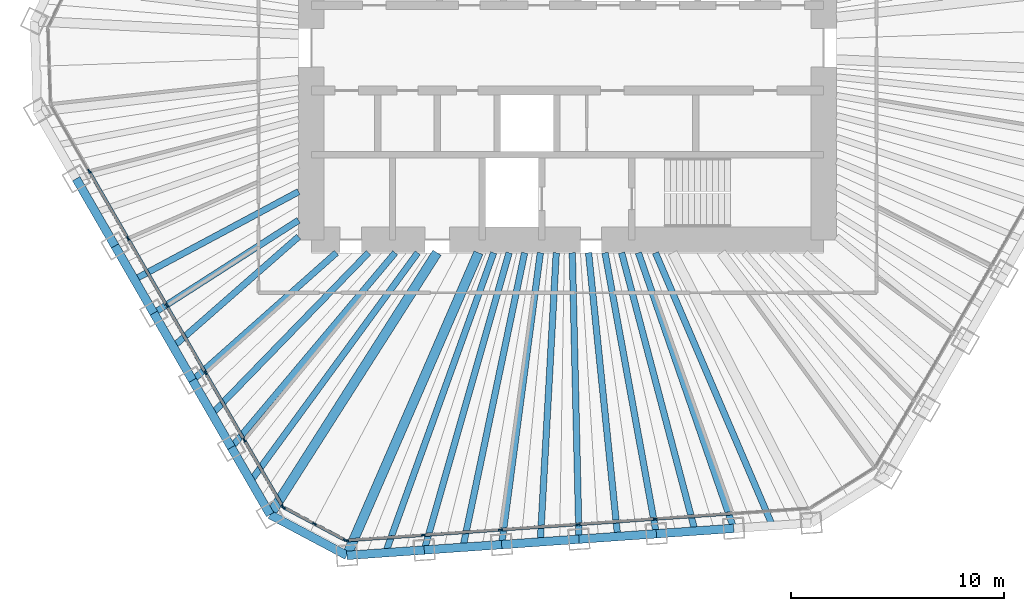
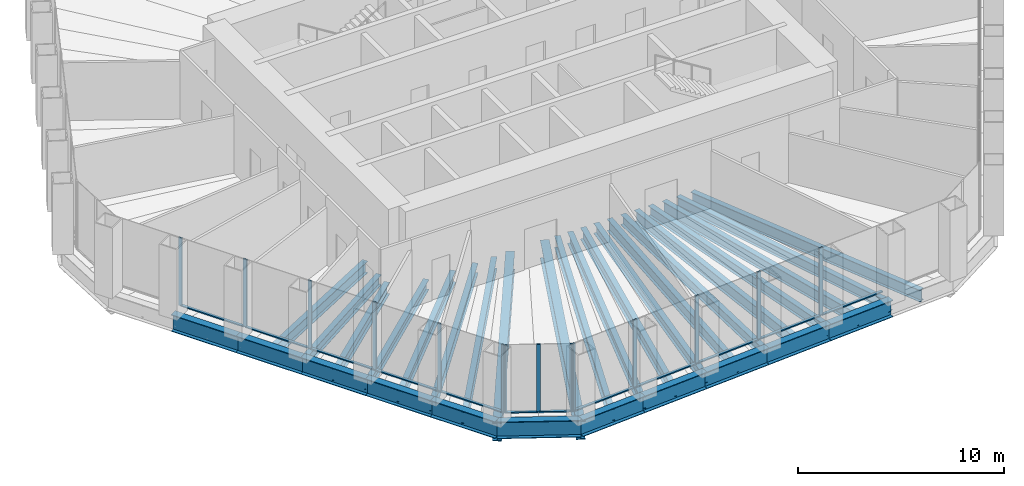
# One storey, part 2 of 14: 31 beams, 26 members, 3 elements without a shape of their own.
"""IFC4 building model written with IfcOpenShell, lengths in metres."""

from ifc_helpers import new_model, si_unit, direction, frame, origin, origin_2d, place, context, subcontext, project, spatial, rectangle, i_section, extrude, material, material_profile, profile_set, type_object, element, aggregate, save


model = new_model("IFC4")

# Units and contexts
model_context = context("Model", 3, precision=1e-05, world=origin(), true_north=direction((0.0, 1.0)))
body_context = subcontext(model_context, "Body", "Model", "MODEL_VIEW")
ifc_project = project(units=[si_unit("LENGTHUNIT", "METRE"), si_unit("AREAUNIT", "SQUARE_METRE"), si_unit("VOLUMEUNIT", "CUBIC_METRE"), si_unit("PLANEANGLEUNIT", "RADIAN"), si_unit("MASSUNIT", "GRAM", prefix="KILO")], contexts=[model_context])

# Site, building, storey
site_placement = place(None, origin())
site = spatial("IfcSite", under=ifc_project, at=site_placement, CompositionType="ELEMENT")
building_placement = place(site_placement, origin())
building = spatial("IfcBuilding", under=site, at=building_placement, Name="Qingtian Harvest Tower", CompositionType="ELEMENT")
storey_placement = place(building_placement, frame((0.0, 0.0, 243.39990234375)))
storey = spatial("IfcBuildingStorey", under=building, at=storey_placement, Name="L53", CompositionType="ELEMENT", Elevation=243.39990234375)

# Beams
ifc_material_1 = material(Name="Steel SM570MC", Category="steel")
ifc_material_profile_1 = material_profile(ifc_material_1, i_section(OverallWidth=0.449951171875, OverallDepth=1.10009765625, WebThickness=0.02197265625, FlangeThickness=0.044921875, at=origin_2d()), Name="H1100x450x22x45")
ifc_profile_set_1 = profile_set([ifc_material_profile_1], Name="Steel SM570MC")
beam_type_1 = type_object("IfcBeamType", Name="Corner floor beam FB8 H1100x450x22x45", PredefinedType="BEAM", material=ifc_profile_set_1)
beam_1_placement = place(storey_placement, frame((-10.33837890625, -23.779052734375, -0.719970703125), z_axis=(0.398714563353, 0.917075077063, 0.0), x_axis=(-0.917075077063, 0.398714563353, 0.0)))
element("IfcBeam", 1, at=beam_1_placement, inside=storey, type_object=beam_type_1, Name="Floor beam FB8 S6", PredefinedType="BEAM", context=body_context, shape_type="SweptSolid", body=[
    extrude(i_section(OverallWidth=0.449951171875, OverallDepth=1.10009765625, WebThickness=0.02197265625, FlangeThickness=0.044921875, at=origin_2d()), origin(), (0.0, 0.0, 1.0), 15.461181640625),
])
beam_2_placement = place(storey_placement, frame((-13.9326171875, -21.8681640625, -0.719970703125), z_axis=(0.537326103898, 0.8433745657, 0.0), x_axis=(-0.8433745657, 0.537326103898, 0.0)))
element("IfcBeam", 2, at=beam_2_placement, inside=storey, type_object=beam_type_1, Name="Floor beam FB8 SW0", PredefinedType="BEAM", context=body_context, shape_type="SweptSolid", body=[
    extrude(i_section(OverallWidth=0.449951171875, OverallDepth=1.10009765625, WebThickness=0.02197265625, FlangeThickness=0.044921875, at=origin_2d()), origin(), (0.0, 0.0, 1.0), 14.54638671875),
])
ifc_material_2 = material(Name="Steel SN490B", Category="steel")
ifc_material_profile_2 = material_profile(ifc_material_2, i_section(OverallWidth=0.300048828125, OverallDepth=0.699951171875, WebThickness=0.012939453125, FlangeThickness=0.02392578125, at=origin_2d()), Name="H700x300x13x24")
ifc_profile_set_2 = profile_set([ifc_material_profile_2], Name="Steel SN490B")
beam_type_2 = type_object("IfcBeamType", Name="Floor beam FB2 H700x300x13x24", PredefinedType="BEAM", material=ifc_profile_set_2)
beam_3_placement = place(storey_placement, frame((-6.713623046875, -23.525634765625, -0.52001953125), z_axis=(0.274411610503, 0.961612327303, 0.0), x_axis=(-0.961612327303, 0.274411610503, 0.0)))
element("IfcBeam", 3, at=beam_3_placement, inside=storey, type_object=beam_type_2, Name="Floor beam FB2 S5", PredefinedType="BEAM", context=body_context, shape_type="SweptSolid", body=[
    extrude(i_section(OverallWidth=0.300048828125, OverallDepth=0.699951171875, WebThickness=0.012939453125, FlangeThickness=0.02392578125, at=origin_2d()), origin(), (0.0, 0.0, 1.0), 14.4814453125),
])
ifc_material_3 = material(Name="Steel SN490B", Category="steel")
ifc_material_profile_3 = material_profile(ifc_material_3, i_section(OverallWidth=0.300048828125, OverallDepth=0.60009765625, WebThickness=0.011962890625, FlangeThickness=0.02001953125, at=origin_2d()), Name="H600x300x12x20")
ifc_profile_set_3 = profile_set([ifc_material_profile_3], Name="Steel SN490B")
beam_type_3 = type_object("IfcBeamType", Name="Floor beam FB3 H600x300x12x20", PredefinedType="BEAM", material=ifc_profile_set_3)
beam_4_placement = place(storey_placement, frame((7.78515625, -22.51171875, -0.469970703125), z_axis=(-0.326844175409, 0.945078242793, 0.0), x_axis=(-0.945078242793, -0.326844175409, 0.0)))
element("IfcBeam", 4, at=beam_4_placement, inside=storey, type_object=beam_type_3, Name="Floor beam FB3 S1", PredefinedType="BEAM", context=body_context, shape_type="SweptSolid", body=[
    extrude(i_section(OverallWidth=0.300048828125, OverallDepth=0.60009765625, WebThickness=0.011962890625, FlangeThickness=0.02001953125, at=origin_2d()), origin(), (0.0, 0.0, 1.0), 13.661865234375),
])
beam_5_placement = place(storey_placement, frame((4.160400390625, -22.76513671875, -0.469970703125), z_axis=(-0.179779537209, 0.983706926885, 0.0), x_axis=(-0.983706926885, -0.179779537209, 0.0)))
element("IfcBeam", 5, at=beam_5_placement, inside=storey, type_object=beam_type_3, Name="Floor beam FB3 S2", PredefinedType="BEAM", context=body_context, shape_type="SweptSolid", body=[
    extrude(i_section(OverallWidth=0.300048828125, OverallDepth=0.60009765625, WebThickness=0.011962890625, FlangeThickness=0.02001953125, at=origin_2d()), origin(), (0.0, 0.0, 1.0), 13.383056640625),
])
beam_6_placement = place(storey_placement, frame((0.53564453125, -23.018798828125, -0.469970703125), z_axis=(-0.023263902078, 0.999729358807, 0.0), x_axis=(-0.999729358807, -0.023263902078, 0.0)))
element("IfcBeam", 6, at=beam_6_placement, inside=storey, type_object=beam_type_3, Name="Floor beam FB3 S3", PredefinedType="BEAM", context=body_context, shape_type="SweptSolid", body=[
    extrude(i_section(OverallWidth=0.300048828125, OverallDepth=0.60009765625, WebThickness=0.011962890625, FlangeThickness=0.02001953125, at=origin_2d()), origin(), (0.0, 0.0, 1.0), 13.42236328125),
])
beam_7_placement = place(storey_placement, frame((-3.089111328125, -23.272216796875, -0.469970703125), z_axis=(0.131593229442, 0.991303799027, 0.0), x_axis=(-0.991303799027, 0.131593229442, 0.0)))
element("IfcBeam", 7, at=beam_7_placement, inside=storey, type_object=beam_type_3, Name="Floor beam FB3 S4", PredefinedType="BEAM", context=body_context, shape_type="SweptSolid", body=[
    extrude(i_section(OverallWidth=0.300048828125, OverallDepth=0.60009765625, WebThickness=0.011962890625, FlangeThickness=0.02001953125, at=origin_2d()), origin(), (0.0, 0.0, 1.0), 13.7919921875),
])
beam_8_placement = place(storey_placement, frame((-15.749267578125, -18.72119140625, -0.469970703125), z_axis=(0.643763532906, 0.765224485821, 0.0), x_axis=(-0.765224485821, 0.643763532906, 0.0)))
element("IfcBeam", 8, at=beam_8_placement, inside=storey, type_object=beam_type_3, Name="Floor beam FB3 SW1", PredefinedType="BEAM", context=body_context, shape_type="SweptSolid", body=[
    extrude(i_section(OverallWidth=0.300048828125, OverallDepth=0.60009765625, WebThickness=0.011962890625, FlangeThickness=0.02001953125, at=origin_2d()), origin(), (0.0, 0.0, 1.0), 11.91943359375),
])
beam_9_placement = place(storey_placement, frame((-17.566162109375, -15.574462890625, -0.469970703125), z_axis=(0.748259768664, 0.663405847577, 0.0), x_axis=(-0.663405847577, 0.748259768664, 0.0)))
element("IfcBeam", 9, at=beam_9_placement, inside=storey, type_object=beam_type_3, Name="Floor beam FB3 SW2", PredefinedType="BEAM", context=body_context, shape_type="SweptSolid", body=[
    extrude(i_section(OverallWidth=0.300048828125, OverallDepth=0.60009765625, WebThickness=0.011962890625, FlangeThickness=0.02001953125, at=origin_2d()), origin(), (0.0, 0.0, 1.0), 9.005615234375),
])
beam_10_placement = place(storey_placement, frame((-19.3828125, -12.427734375, -0.469970703125), z_axis=(0.841823714388, 0.539752567288, 0.0), x_axis=(-0.539752567288, 0.841823714388, 0.0)))
element("IfcBeam", 10, at=beam_10_placement, inside=storey, type_object=beam_type_3, Name="Floor beam FB3 SW3", PredefinedType="BEAM", context=body_context, shape_type="SweptSolid", body=[
    extrude(i_section(OverallWidth=0.300048828125, OverallDepth=0.60009765625, WebThickness=0.011962890625, FlangeThickness=0.02001953125, at=origin_2d()), origin(), (0.0, 0.0, 1.0), 8.05712890625),
])
ifc_material_4 = material(Name="Steel SN490B", Category="steel")
ifc_material_profile_4 = material_profile(ifc_material_4, i_section(OverallWidth=0.300048828125, OverallDepth=0.699951171875, WebThickness=0.012939453125, FlangeThickness=0.02392578125, at=origin_2d()), Name="H700x300x13x24")
ifc_profile_set_4 = profile_set([ifc_material_profile_4], Name="Steel SN490B")
beam_type_4 = type_object("IfcBeamType", Name="Floor joist J2 H700x300x13x24", PredefinedType="JOIST", material=ifc_profile_set_4)
beam_11_placement = place(storey_placement, frame((9.597412109375, -22.385009765625, -0.52001953125), z_axis=(-0.394052741766, 0.919087828614, 0.0), x_axis=(-0.919087828614, -0.394052741766, 0.0)))
element("IfcBeam", 11, at=beam_11_placement, inside=storey, type_object=beam_type_4, Name="Floor joist J2 S0", PredefinedType="JOIST", context=body_context, shape_type="SweptSolid", body=[
    extrude(i_section(OverallWidth=0.300048828125, OverallDepth=0.699951171875, WebThickness=0.012939453125, FlangeThickness=0.02392578125, at=origin_2d()), origin(), (0.0, 0.0, 1.0), 13.910400390625),
])
beam_12_placement = place(storey_placement, frame((5.97265625, -22.638427734375, -0.52001953125), z_axis=(-0.255103716232, 0.9669136952, 0.0), x_axis=(-0.9669136952, -0.255103716232, 0.0)))
element("IfcBeam", 12, at=beam_12_placement, inside=storey, type_object=beam_type_4, Name="Floor joist J2 S1", PredefinedType="JOIST", context=body_context, shape_type="SweptSolid", body=[
    extrude(i_section(OverallWidth=0.300048828125, OverallDepth=0.699951171875, WebThickness=0.012939453125, FlangeThickness=0.02392578125, at=origin_2d()), origin(), (0.0, 0.0, 1.0), 13.484375),
])
beam_13_placement = place(storey_placement, frame((2.347900390625, -22.89208984375, -0.52001953125), z_axis=(-0.102028865499, 0.994781438611, 0.0), x_axis=(-0.994781438611, -0.102028865499, 0.0)))
element("IfcBeam", 13, at=beam_13_placement, inside=storey, type_object=beam_type_4, Name="Floor joist J2 S2", PredefinedType="JOIST", context=body_context, shape_type="SweptSolid", body=[
    extrude(i_section(OverallWidth=0.300048828125, OverallDepth=0.699951171875, WebThickness=0.012939453125, FlangeThickness=0.02392578125, at=origin_2d()), origin(), (0.0, 0.0, 1.0), 13.36181640625),
])
beam_14_placement = place(storey_placement, frame((-1.276611328125, -23.1455078125, -0.52001953125), z_axis=(0.055069329716, 0.998482533109, 0.0), x_axis=(-0.998482533109, 0.055069329716, 0.0)))
element("IfcBeam", 14, at=beam_14_placement, inside=storey, type_object=beam_type_4, Name="Floor joist J2 S3", PredefinedType="JOIST", context=body_context, shape_type="SweptSolid", body=[
    extrude(i_section(OverallWidth=0.300048828125, OverallDepth=0.699951171875, WebThickness=0.012939453125, FlangeThickness=0.02392578125, at=origin_2d()), origin(), (0.0, 0.0, 1.0), 13.56591796875),
])
beam_15_placement = place(storey_placement, frame((-4.9013671875, -23.39892578125, -0.52001953125), z_axis=(0.205016322093, 0.978758554331, 0.0), x_axis=(-0.978758554331, 0.205016322093, 0.0)))
element("IfcBeam", 15, at=beam_15_placement, inside=storey, type_object=beam_type_4, Name="Floor joist J2 S4", PredefinedType="JOIST", context=body_context, shape_type="SweptSolid", body=[
    extrude(i_section(OverallWidth=0.300048828125, OverallDepth=0.699951171875, WebThickness=0.012939453125, FlangeThickness=0.02392578125, at=origin_2d()), origin(), (0.0, 0.0, 1.0), 14.098388671875),
])
beam_16_placement = place(storey_placement, frame((-8.526123046875, -23.65234375, -0.52001953125), z_axis=(0.339126305921, 0.940740850943, 0.0), x_axis=(-0.940740850943, 0.339126305921, 0.0)))
element("IfcBeam", 16, at=beam_16_placement, inside=storey, type_object=beam_type_4, Name="Floor joist J2 S5", PredefinedType="JOIST", context=body_context, shape_type="SweptSolid", body=[
    extrude(i_section(OverallWidth=0.300048828125, OverallDepth=0.699951171875, WebThickness=0.012939453125, FlangeThickness=0.02392578125, at=origin_2d()), origin(), (0.0, 0.0, 1.0), 14.9375),
])
beam_17_placement = place(storey_placement, frame((-14.841064453125, -20.294677734375, -0.52001953125), z_axis=(0.590288677526, 0.807192218238, 0.0), x_axis=(-0.807192218238, 0.590288677526, 0.0)))
element("IfcBeam", 17, at=beam_17_placement, inside=storey, type_object=beam_type_4, Name="Floor joist J2 SW0", PredefinedType="JOIST", context=body_context, shape_type="SweptSolid", body=[
    extrude(i_section(OverallWidth=0.300048828125, OverallDepth=0.699951171875, WebThickness=0.012939453125, FlangeThickness=0.02392578125, at=origin_2d()), origin(), (0.0, 0.0, 1.0), 13.2490234375),
])
beam_18_placement = place(storey_placement, frame((-16.65771484375, -17.14794921875, -0.52001953125), z_axis=(0.696777499009, 0.717287332158, 0.0), x_axis=(-0.717287332158, 0.696777499009, 0.0)))
element("IfcBeam", 18, at=beam_18_placement, inside=storey, type_object=beam_type_4, Name="Floor joist J2 SW1", PredefinedType="JOIST", context=body_context, shape_type="SweptSolid", body=[
    extrude(i_section(OverallWidth=0.300048828125, OverallDepth=0.699951171875, WebThickness=0.012939453125, FlangeThickness=0.02392578125, at=origin_2d()), origin(), (0.0, 0.0, 1.0), 10.522705078125),
])
beam_19_placement = place(storey_placement, frame((-18.474609375, -14.001220703125, -0.52001953125), z_axis=(0.751883296969, 0.659296221542, 0.0), x_axis=(-0.659296221542, 0.751883296969, 0.0)))
element("IfcBeam", 19, at=beam_19_placement, inside=storey, type_object=beam_type_4, Name="Floor joist J2 SW2", PredefinedType="JOIST", context=body_context, shape_type="SweptSolid", body=[
    extrude(i_section(OverallWidth=0.300048828125, OverallDepth=0.699951171875, WebThickness=0.012939453125, FlangeThickness=0.02392578125, at=origin_2d()), origin(), (0.0, 0.0, 1.0), 7.81298828125),
])
beam_20_placement = place(storey_placement, frame((-20.291259765625, -10.8544921875, -0.52001953125), z_axis=(0.881766503154, 0.471686160402, 0.0), x_axis=(-0.471686160402, 0.881766503154, 0.0)))
element("IfcBeam", 20, at=beam_20_placement, inside=storey, type_object=beam_type_4, Name="Floor joist J2 SW3", PredefinedType="JOIST", context=body_context, shape_type="SweptSolid", body=[
    extrude(i_section(OverallWidth=0.300048828125, OverallDepth=0.699951171875, WebThickness=0.012939453125, FlangeThickness=0.02392578125, at=origin_2d()), origin(), (0.0, 0.0, 1.0), 8.722412109375),
])

# Curtain wall, members
ifc_material_5 = material(Name="Bronze-anodised aluminium curtain wall", Category="aluminium")
curtain_wall_type = type_object("IfcCurtainWallType", Name="Curtain wall CW4 office", PredefinedType="USERDEFINED", material=ifc_material_5)
curtain_wall_1_placement = place(storey_placement, origin())
curtain_wall_1 = element("IfcCurtainWall", 21, at=curtain_wall_1_placement, inside=storey, type_object=curtain_wall_type, Name="Curtain wall CW4 L53 S0-5", ObjectType="RECESSED CURTAIN WALL", PredefinedType="USERDEFINED")
ifc_material_6 = material(Name="Bronze-anodised aluminium mullion", Category="aluminium")
ifc_material_profile_5 = material_profile(ifc_material_6, rectangle(XDim=0.06494140625, YDim=0.199951171875, at=origin_2d()), Name="AL 65x200")
ifc_profile_set_5 = profile_set([ifc_material_profile_5], Name="Bronze-anodised aluminium mullion")
member_type_1 = type_object("IfcMemberType", Name="Mullion CWM 65x200", PredefinedType="MULLION", material=ifc_profile_set_5)
member_1_placement = place(storey_placement, frame((4.111572265625, -22.06689453125, 0.0), z_axis=(0.0, 0.0, 1.0), x_axis=(0.069756473744, -0.99756405026, 0.0)))
member_1 = element("IfcMember", 22, at=member_1_placement, type_object=member_type_1, Name="CW4 mullion 3", PredefinedType="MULLION", context=body_context, shape_type="SweptSolid", body=[
    extrude(rectangle(XDim=0.06494140625, YDim=0.199951171875, at=origin_2d()), origin(), (0.0, 0.0, 1.0), 4.030029296875),
])
member_2_placement = place(storey_placement, frame((0.48681640625, -22.3203125, 0.0), z_axis=(0.0, 0.0, 1.0), x_axis=(0.069756473744, -0.99756405026, 0.0)))
member_2 = element("IfcMember", 23, at=member_2_placement, type_object=member_type_1, Name="CW4 mullion 4", PredefinedType="MULLION", context=body_context, shape_type="SweptSolid", body=[
    extrude(rectangle(XDim=0.06494140625, YDim=0.199951171875, at=origin_2d()), origin(), (0.0, 0.0, 1.0), 4.030029296875),
])
member_3_placement = place(storey_placement, frame((-3.137939453125, -22.573974609375, 0.0), z_axis=(0.0, 0.0, 1.0), x_axis=(0.069756473744, -0.99756405026, 0.0)))
member_3 = element("IfcMember", 24, at=member_3_placement, type_object=member_type_1, Name="CW4 mullion 5", PredefinedType="MULLION", context=body_context, shape_type="SweptSolid", body=[
    extrude(rectangle(XDim=0.06494140625, YDim=0.199951171875, at=origin_2d()), origin(), (0.0, 0.0, 1.0), 4.030029296875),
])
member_4_placement = place(storey_placement, frame((-6.762451171875, -22.827392578125, 0.0), z_axis=(0.0, 0.0, 1.0), x_axis=(0.069756473744, -0.99756405026, 0.0)))
member_4 = element("IfcMember", 25, at=member_4_placement, type_object=member_type_1, Name="CW4 mullion 6", PredefinedType="MULLION", context=body_context, shape_type="SweptSolid", body=[
    extrude(rectangle(XDim=0.06494140625, YDim=0.199951171875, at=origin_2d()), origin(), (0.0, 0.0, 1.0), 4.030029296875),
])
member_5_placement = place(storey_placement, frame((-10.354736328125, -23.07861328125, 0.0), z_axis=(0.0, 0.0, 1.0), x_axis=(0.069756473744, -0.99756405026, 0.0)))
member_5 = element("IfcMember", 26, at=member_5_placement, type_object=member_type_1, Name="CW4 mullion 7", PredefinedType="MULLION", context=body_context, shape_type="SweptSolid", body=[
    extrude(rectangle(XDim=0.06494140625, YDim=0.199951171875, at=origin_2d()), origin(), (0.0, 0.0, 1.0), 4.030029296875),
])

curtain_wall_2_placement = place(storey_placement, origin())
curtain_wall_2 = element("IfcCurtainWall", 27, at=curtain_wall_2_placement, inside=storey, type_object=curtain_wall_type, Name="Curtain wall CW4 L53 SC", ObjectType="RECESSED CURTAIN WALL", PredefinedType="USERDEFINED")
member_6_placement = place(storey_placement, frame((-10.416015625, -23.0654296875, 0.0), z_axis=(0.0, 0.0, 1.0), x_axis=(-0.469471562786, -0.882947592859, 0.0)))
member_6 = element("IfcMember", 28, at=member_6_placement, type_object=member_type_1, Name="CW4 mullion 1", PredefinedType="MULLION", context=body_context, shape_type="SweptSolid", body=[
    extrude(rectangle(XDim=0.06494140625, YDim=0.199951171875, at=origin_2d()), origin(), (0.0, 0.0, 1.0), 4.030029296875),
])
member_7_placement = place(storey_placement, frame((-11.85693359375, -22.29931640625, 0.0), z_axis=(0.0, 0.0, 1.0), x_axis=(-0.469471562786, -0.882947592859, 0.0)))
member_7 = element("IfcMember", 29, at=member_7_placement, type_object=member_type_1, Name="CW4 mullion 2", PredefinedType="MULLION", context=body_context, shape_type="SweptSolid", body=[
    extrude(rectangle(XDim=0.06494140625, YDim=0.199951171875, at=origin_2d()), origin(), (0.0, 0.0, 1.0), 4.030029296875),
])
member_8_placement = place(storey_placement, frame((-13.297607421875, -21.533203125, 0.0), z_axis=(0.0, 0.0, 1.0), x_axis=(-0.469471562786, -0.882947592859, 0.0)))
member_8 = element("IfcMember", 30, at=member_8_placement, type_object=member_type_1, Name="CW4 mullion 3", PredefinedType="MULLION", context=body_context, shape_type="SweptSolid", body=[
    extrude(rectangle(XDim=0.06494140625, YDim=0.199951171875, at=origin_2d()), origin(), (0.0, 0.0, 1.0), 4.030029296875),
])

curtain_wall_3_placement = place(storey_placement, origin())
curtain_wall_3 = element("IfcCurtainWall", 31, at=curtain_wall_3_placement, inside=storey, type_object=curtain_wall_type, Name="Curtain wall CW4 L53 SW0-5", ObjectType="RECESSED CURTAIN WALL", PredefinedType="USERDEFINED")
member_9_placement = place(storey_placement, frame((-13.342529296875, -21.489990234375, 0.0), z_axis=(0.0, 0.0, 1.0), x_axis=(-0.866025403784, -0.5, 0.0)))
member_9 = element("IfcMember", 32, at=member_9_placement, type_object=member_type_1, Name="CW4 mullion 1", PredefinedType="MULLION", context=body_context, shape_type="SweptSolid", body=[
    extrude(rectangle(XDim=0.06494140625, YDim=0.199951171875, at=origin_2d()), origin(), (0.0, 0.0, 1.0), 4.030029296875),
])
member_10_placement = place(storey_placement, frame((-15.14306640625, -18.371337890625, 0.0), z_axis=(0.0, 0.0, 1.0), x_axis=(-0.866025403784, -0.5, 0.0)))
member_10 = element("IfcMember", 33, at=member_10_placement, type_object=member_type_1, Name="CW4 mullion 2", PredefinedType="MULLION", context=body_context, shape_type="SweptSolid", body=[
    extrude(rectangle(XDim=0.06494140625, YDim=0.199951171875, at=origin_2d()), origin(), (0.0, 0.0, 1.0), 4.030029296875),
])
member_11_placement = place(storey_placement, frame((-16.9599609375, -15.224609375, 0.0), z_axis=(0.0, 0.0, 1.0), x_axis=(-0.866025403784, -0.5, 0.0)))
member_11 = element("IfcMember", 34, at=member_11_placement, type_object=member_type_1, Name="CW4 mullion 3", PredefinedType="MULLION", context=body_context, shape_type="SweptSolid", body=[
    extrude(rectangle(XDim=0.06494140625, YDim=0.199951171875, at=origin_2d()), origin(), (0.0, 0.0, 1.0), 4.030029296875),
])
member_12_placement = place(storey_placement, frame((-18.776611328125, -12.077880859375, 0.0), z_axis=(0.0, 0.0, 1.0), x_axis=(-0.866025403784, -0.5, 0.0)))
member_12 = element("IfcMember", 35, at=member_12_placement, type_object=member_type_1, Name="CW4 mullion 4", PredefinedType="MULLION", context=body_context, shape_type="SweptSolid", body=[
    extrude(rectangle(XDim=0.06494140625, YDim=0.199951171875, at=origin_2d()), origin(), (0.0, 0.0, 1.0), 4.030029296875),
])
member_13_placement = place(storey_placement, frame((-20.593505859375, -8.93115234375, 0.0), z_axis=(0.0, 0.0, 1.0), x_axis=(-0.866025403784, -0.5, 0.0)))
member_13 = element("IfcMember", 36, at=member_13_placement, type_object=member_type_1, Name="CW4 mullion 5", PredefinedType="MULLION", context=body_context, shape_type="SweptSolid", body=[
    extrude(rectangle(XDim=0.06494140625, YDim=0.199951171875, at=origin_2d()), origin(), (0.0, 0.0, 1.0), 4.030029296875),
])
member_14_placement = place(storey_placement, frame((-22.41015625, -5.784423828125, 0.0), z_axis=(0.0, 0.0, 1.0), x_axis=(-0.866025403784, -0.5, 0.0)))
member_14 = element("IfcMember", 37, at=member_14_placement, type_object=member_type_1, Name="CW4 mullion 6", PredefinedType="MULLION", context=body_context, shape_type="SweptSolid", body=[
    extrude(rectangle(XDim=0.06494140625, YDim=0.199951171875, at=origin_2d()), origin(), (0.0, 0.0, 1.0), 4.030029296875),
])

# Beams
ifc_material_7 = material(Name="Steel SN490B", Category="steel")
ifc_material_profile_6 = material_profile(ifc_material_7, i_section(OverallWidth=0.39990234375, OverallDepth=1.0, WebThickness=0.01904296875, FlangeThickness=0.035888671875, at=origin_2d()), Name="H1000x400x19x36")
ifc_profile_set_6 = profile_set([ifc_material_profile_6], Name="Steel SN490B")
beam_type_5 = type_object("IfcBeamType", Name="Spandrel beam SB3 H1000x400x19x36", PredefinedType="SPANDREL", material=ifc_profile_set_6)
for number, where, z_axis, x_axis, name in (
    (38, (7.78515625, -22.51171875, -0.5), (-0.997565001055, -0.069742875402, 0.0), (0.069742875402, -0.997565001055, 0.0), "Spandrel SB3 S1"),
    (39, (4.160400390625, -22.76513671875, -0.5), (-0.997560324246, -0.069809737785, 0.0), (0.069809737785, -0.997560324246, 0.0), "Spandrel SB3 S2"),
    (40, (0.53564453125, -23.018798828125, -0.5), (-0.997565001055, -0.069742875402, 0.0), (0.069742875402, -0.997565001055, 0.0), "Spandrel SB3 S3"),
):
    element("IfcBeam", number, at=place(storey_placement, frame(where, z_axis=z_axis, x_axis=x_axis)), inside=storey, type_object=beam_type_5, Name=name, PredefinedType="SPANDREL", context=body_context, shape_type="SweptSolid", body=[
        extrude(i_section(OverallWidth=0.39990234375, OverallDepth=1.0, WebThickness=0.01904296875, FlangeThickness=0.035888671875, at=origin_2d()), origin(), (0.0, 0.0, 1.0), 3.633544921875),
    ])
beam_21_placement = place(storey_placement, frame((-3.089111328125, -23.272216796875, -0.5), z_axis=(-0.997564674207, -0.069747550305, 0.0), x_axis=(0.069747550305, -0.997564674207, 0.0)))
element("IfcBeam", 41, at=beam_21_placement, inside=storey, type_object=beam_type_5, Name="Spandrel SB3 S4", PredefinedType="SPANDREL", context=body_context, shape_type="SweptSolid", body=[
    extrude(i_section(OverallWidth=0.39990234375, OverallDepth=1.0, WebThickness=0.01904296875, FlangeThickness=0.035888671875, at=origin_2d()), origin(), (0.0, 0.0, 1.0), 3.63330078125),
])
beam_22_placement = place(storey_placement, frame((-6.713623046875, -23.525634765625, -0.5), z_axis=(-0.997565001055, -0.069742875402, 0.0), x_axis=(0.069742875402, -0.997565001055, 0.0)))
element("IfcBeam", 42, at=beam_22_placement, inside=storey, type_object=beam_type_5, Name="Spandrel SB3 S5", PredefinedType="SPANDREL", context=body_context, shape_type="SweptSolid", body=[
    extrude(i_section(OverallWidth=0.39990234375, OverallDepth=1.0, WebThickness=0.01904296875, FlangeThickness=0.035888671875, at=origin_2d()), origin(), (0.0, 0.0, 1.0), 3.633544921875),
])
beam_23_placement = place(storey_placement, frame((-10.33837890625, -23.779052734375, -0.5), z_axis=(-0.882968133669, 0.469432929101, 0.0), x_axis=(-0.469432929101, -0.882968133669, 0.0)))
element("IfcBeam", 43, at=beam_23_placement, inside=storey, type_object=beam_type_5, Name="Spandrel SB3 SC", PredefinedType="SPANDREL", context=body_context, shape_type="SweptSolid", body=[
    extrude(i_section(OverallWidth=0.39990234375, OverallDepth=1.0, WebThickness=0.01904296875, FlangeThickness=0.035888671875, at=origin_2d()), origin(), (0.0, 0.0, 1.0), 4.070556640625),
])
beam_24_placement = place(storey_placement, frame((-13.9326171875, -21.8681640625, -0.5), z_axis=(-0.499947341849, 0.866055803848, 0.0), x_axis=(-0.866055803848, -0.499947341849, 0.0)))
element("IfcBeam", 44, at=beam_24_placement, inside=storey, type_object=beam_type_5, Name="Spandrel SB3 SW0", PredefinedType="SPANDREL", context=body_context, shape_type="SweptSolid", body=[
    extrude(i_section(OverallWidth=0.39990234375, OverallDepth=1.0, WebThickness=0.01904296875, FlangeThickness=0.035888671875, at=origin_2d()), origin(), (0.0, 0.0, 1.0), 3.6337890625),
])
for number, where, z_axis, x_axis, name in (
    (45, (-15.749267578125, -18.72119140625, -0.5), (-0.500026827678, 0.866009914263, 0.0), (-0.866009914263, -0.500026827678, 0.0), "Spandrel SB3 SW1"),
    (46, (-17.566162109375, -15.574462890625, -0.5), (-0.499976434558, 0.866039008871, 0.0), (-0.866039008871, -0.499976434558, 0.0), "Spandrel SB3 SW2"),
    (47, (-19.3828125, -12.427734375, -0.5), (-0.500026827678, 0.866009914263, 0.0), (-0.866009914263, -0.500026827678, 0.0), "Spandrel SB3 SW3"),
    (48, (-21.19970703125, -9.281005859375, -0.5), (-0.499976434558, 0.866039008871, 0.0), (-0.866039008871, -0.499976434558, 0.0), "Spandrel SB3 SW4"),
):
    element("IfcBeam", number, at=place(storey_placement, frame(where, z_axis=z_axis, x_axis=x_axis)), inside=storey, type_object=beam_type_5, Name=name, PredefinedType="SPANDREL", context=body_context, shape_type="SweptSolid", body=[
        extrude(i_section(OverallWidth=0.39990234375, OverallDepth=1.0, WebThickness=0.01904296875, FlangeThickness=0.035888671875, at=origin_2d()), origin(), (0.0, 0.0, 1.0), 3.633544921875),
    ])

# Member
ifc_material_8 = material(Name="Bronze-anodised aluminium transom", Category="aluminium")
ifc_material_profile_7 = material_profile(ifc_material_8, rectangle(XDim=0.14990234375, YDim=0.06494140625, at=origin_2d()), Name="AL 65x150")
ifc_profile_set_7 = profile_set([ifc_material_profile_7], Name="Bronze-anodised aluminium transom")
member_type_2 = type_object("IfcMemberType", Name="Transom CWT 65x150", PredefinedType="USERDEFINED", material=ifc_profile_set_7)
member_15_placement = place(storey_placement, frame((7.703857421875, -21.815673828125, 0.03271484375), z_axis=(-0.997562159126, -0.069783512949, 0.0), x_axis=(0.069783512949, -0.997562159126, 0.0)))
member_15 = element("IfcMember", 49, at=member_15_placement, type_object=member_type_2, Name="CW4 transom 2.1", ObjectType="TRANSOM", PredefinedType="USERDEFINED", context=body_context, shape_type="SweptSolid", body=[
    extrude(rectangle(XDim=0.14990234375, YDim=0.06494140625, at=origin_2d()), origin(), (0.0, 0.0, 1.0), 3.568603515625),
])

member_16_placement = place(storey_placement, frame((4.0791015625, -22.0693359375, 0.03271484375), z_axis=(-0.99756691944, -0.069715430417, 0.0), x_axis=(0.069715430417, -0.99756691944, 0.0)))
member_16 = element("IfcMember", 50, at=member_16_placement, type_object=member_type_2, Name="CW4 transom 3.1", ObjectType="TRANSOM", PredefinedType="USERDEFINED", context=body_context, shape_type="SweptSolid", body=[
    extrude(rectangle(XDim=0.14990234375, YDim=0.06494140625, at=origin_2d()), origin(), (0.0, 0.0, 1.0), 3.568603515625),
])

member_17_placement = place(storey_placement, frame((0.454345703125, -22.32275390625, 0.03271484375), z_axis=(-0.99756691944, -0.069715430417, 0.0), x_axis=(0.069715430417, -0.99756691944, 0.0)))
member_17 = element("IfcMember", 51, at=member_17_placement, type_object=member_type_2, Name="CW4 transom 4.1", ObjectType="TRANSOM", PredefinedType="USERDEFINED", context=body_context, shape_type="SweptSolid", body=[
    extrude(rectangle(XDim=0.14990234375, YDim=0.06494140625, at=origin_2d()), origin(), (0.0, 0.0, 1.0), 3.568603515625),
])

member_18_placement = place(storey_placement, frame((-3.170166015625, -22.576171875, 0.03271484375), z_axis=(-0.997567251922, -0.069710672727, 0.0), x_axis=(0.069710672727, -0.997567251922, 0.0)))
member_18 = element("IfcMember", 52, at=member_18_placement, type_object=member_type_2, Name="CW4 transom 5.1", ObjectType="TRANSOM", PredefinedType="USERDEFINED", context=body_context, shape_type="SweptSolid", body=[
    extrude(rectangle(XDim=0.14990234375, YDim=0.06494140625, at=origin_2d()), origin(), (0.0, 0.0, 1.0), 3.56884765625),
])

member_19_placement = place(storey_placement, frame((-6.794921875, -22.82958984375, 0.03271484375), z_axis=(-0.997565839557, -0.069730880888, 0.0), x_axis=(0.069730880888, -0.997565839557, 0.0)))
member_19 = element("IfcMember", 53, at=member_19_placement, type_object=member_type_2, Name="CW4 transom 6.1", ObjectType="TRANSOM", PredefinedType="USERDEFINED", context=body_context, shape_type="SweptSolid", body=[
    extrude(rectangle(XDim=0.14990234375, YDim=0.06494140625, at=origin_2d()), origin(), (0.0, 0.0, 1.0), 3.5361328125),
])

aggregate(curtain_wall_1, [member_1, member_2, member_3, member_4, member_5, member_15, member_16, member_17, member_18, member_19])

member_20_placement = place(storey_placement, frame((-10.444580078125, -23.05029296875, 0.03271484375), z_axis=(-0.882960338349, 0.46944759122, 0.0), x_axis=(-0.46944759122, -0.882960338349, 0.0)))
member_20 = element("IfcMember", 54, at=member_20_placement, type_object=member_type_2, Name="CW4 transom 1.1", ObjectType="TRANSOM", PredefinedType="USERDEFINED", context=body_context, shape_type="SweptSolid", body=[
    extrude(rectangle(XDim=0.14990234375, YDim=0.06494140625, at=origin_2d()), origin(), (0.0, 0.0, 1.0), 1.56689453125),
])

member_21_placement = place(storey_placement, frame((-11.885498046875, -22.2841796875, 0.03271484375), z_axis=(-0.882960338349, 0.46944759122, 0.0), x_axis=(-0.46944759122, -0.882960338349, 0.0)))
member_21 = element("IfcMember", 55, at=member_21_placement, type_object=member_type_2, Name="CW4 transom 2.1", ObjectType="TRANSOM", PredefinedType="USERDEFINED", context=body_context, shape_type="SweptSolid", body=[
    extrude(rectangle(XDim=0.14990234375, YDim=0.06494140625, at=origin_2d()), origin(), (0.0, 0.0, 1.0), 1.56689453125),
])

aggregate(curtain_wall_2, [member_6, member_7, member_8, member_20, member_21])

member_22_placement = place(storey_placement, frame((-13.35888671875, -21.461669921875, 0.03271484375), z_axis=(-0.500015305566, 0.866016566931, 0.0), x_axis=(-0.866016566931, -0.500015305566, 0.0)))
member_22 = element("IfcMember", 56, at=member_22_placement, type_object=member_type_2, Name="CW4 transom 1.1", ObjectType="TRANSOM", PredefinedType="USERDEFINED", context=body_context, shape_type="SweptSolid", body=[
    extrude(rectangle(XDim=0.14990234375, YDim=0.06494140625, at=origin_2d()), origin(), (0.0, 0.0, 1.0), 3.5361328125),
])

member_23_placement = place(storey_placement, frame((-15.159423828125, -18.34326171875, 0.03271484375), z_axis=(-0.499965259726, 0.866045460162, 0.0), x_axis=(-0.866045460162, -0.499965259726, 0.0)))
member_23 = element("IfcMember", 57, at=member_23_placement, type_object=member_type_2, Name="CW4 transom 2.1", ObjectType="TRANSOM", PredefinedType="USERDEFINED", context=body_context, shape_type="SweptSolid", body=[
    extrude(rectangle(XDim=0.14990234375, YDim=0.06494140625, at=origin_2d()), origin(), (0.0, 0.0, 1.0), 3.568603515625),
])

member_24_placement = place(storey_placement, frame((-16.97607421875, -15.1962890625, 0.03271484375), z_axis=(-0.500046194516, 0.865998731726, 0.0), x_axis=(-0.865998731726, -0.500046194516, 0.0)))
member_24 = element("IfcMember", 58, at=member_24_placement, type_object=member_type_2, Name="CW4 transom 3.1", ObjectType="TRANSOM", PredefinedType="USERDEFINED", context=body_context, shape_type="SweptSolid", body=[
    extrude(rectangle(XDim=0.14990234375, YDim=0.06494140625, at=origin_2d()), origin(), (0.0, 0.0, 1.0), 3.568603515625),
])

member_25_placement = place(storey_placement, frame((-18.79296875, -12.049560546875, 0.03271484375), z_axis=(-0.499994883695, 0.866028357664, 0.0), x_axis=(-0.866028357664, -0.499994883695, 0.0)))
member_25 = element("IfcMember", 59, at=member_25_placement, type_object=member_type_2, Name="CW4 transom 4.1", ObjectType="TRANSOM", PredefinedType="USERDEFINED", context=body_context, shape_type="SweptSolid", body=[
    extrude(rectangle(XDim=0.14990234375, YDim=0.06494140625, at=origin_2d()), origin(), (0.0, 0.0, 1.0), 3.568359375),
])

member_26_placement = place(storey_placement, frame((-20.609619140625, -8.90283203125, 0.03271484375), z_axis=(-0.500046194516, 0.865998731726, 0.0), x_axis=(-0.865998731726, -0.500046194516, 0.0)))
member_26 = element("IfcMember", 60, at=member_26_placement, type_object=member_type_2, Name="CW4 transom 5.1", ObjectType="TRANSOM", PredefinedType="USERDEFINED", context=body_context, shape_type="SweptSolid", body=[
    extrude(rectangle(XDim=0.14990234375, YDim=0.06494140625, at=origin_2d()), origin(), (0.0, 0.0, 1.0), 3.568603515625),
])

aggregate(curtain_wall_3, [member_9, member_10, member_11, member_12, member_13, member_14, member_22, member_23, member_24, member_25, member_26])

save(model, "model.ifc")
